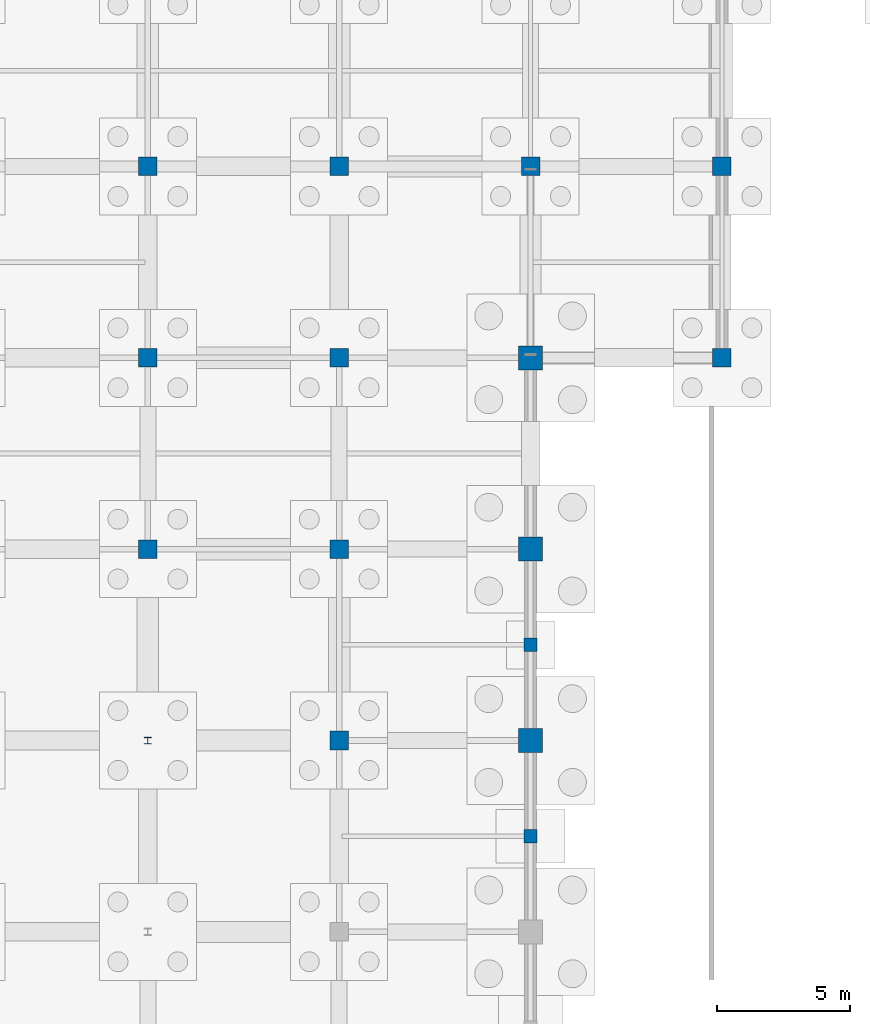
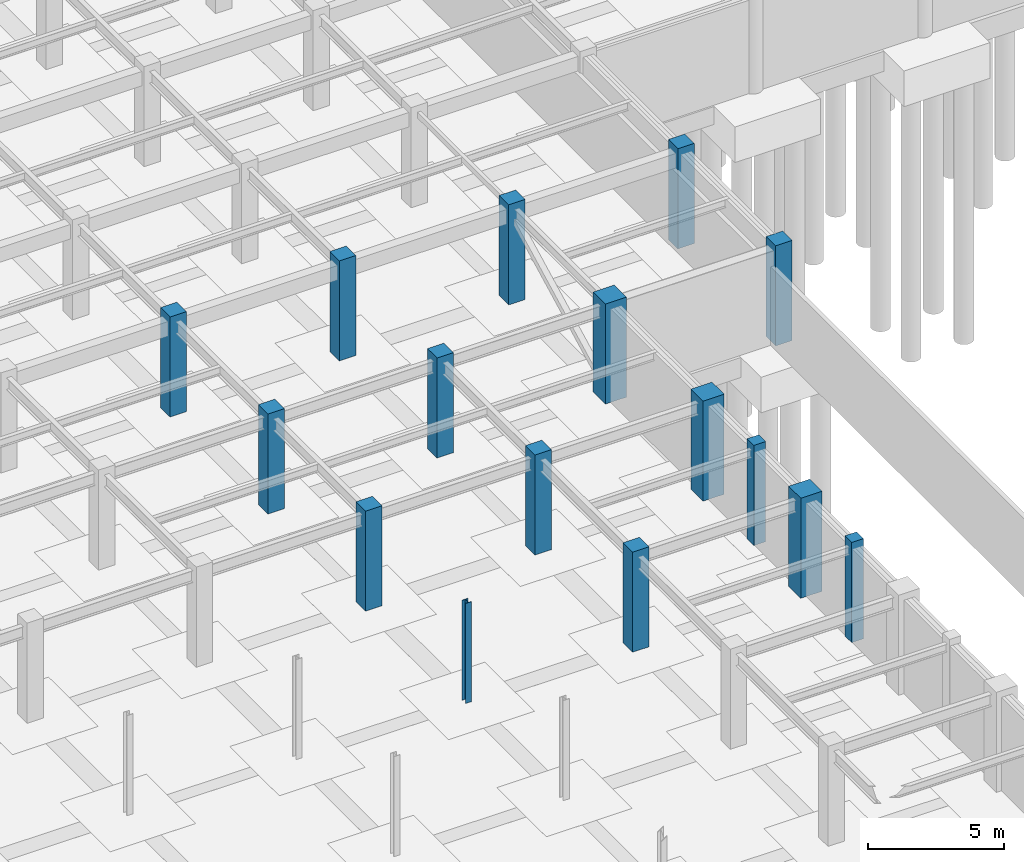
# One storey, part 16 of 48: 16 columns.
"""IFC4 building model written with IfcOpenShell, lengths in metres."""

from ifc_helpers import new_model, si_unit, direction, frame, origin, origin_2d, place, context, subcontext, project, spatial, rectangle, i_section, extrude, material, material_profile, profile_set, type_object, element, save


model = new_model("IFC4")

# Units and contexts
model_context = context("Model", 3, precision=1e-05, world=origin(), true_north=direction((0.0, 1.0)))
body_context = subcontext(model_context, "Body", "Model", "MODEL_VIEW")
ifc_project = project(units=[si_unit("LENGTHUNIT", "METRE"), si_unit("AREAUNIT", "SQUARE_METRE"), si_unit("VOLUMEUNIT", "CUBIC_METRE"), si_unit("PLANEANGLEUNIT", "RADIAN"), si_unit("MASSUNIT", "GRAM", prefix="KILO")], contexts=[model_context])

# Site, building, storey
site_placement = place(None, origin())
site = spatial("IfcSite", under=ifc_project, at=site_placement, CompositionType="ELEMENT")
building_placement = place(site_placement, origin())
building = spatial("IfcBuilding", under=site, at=building_placement, Name="Carrowvane Square Congress Hotel", CompositionType="ELEMENT")
storey_placement = place(building_placement, frame((0.0, 0.0, -4.5)))
storey = spatial("IfcBuildingStorey", under=building, at=storey_placement, Name="B01", CompositionType="ELEMENT", Elevation=-4.5)

# Columns
ifc_material_1 = material(Name="Concrete C40/50", Category="concrete")
ifc_material_profile_1 = material_profile(ifc_material_1, rectangle(XDim=0.699951171875, YDim=0.699951171875, at=origin_2d()), Name="RC 700x700")
ifc_profile_set_1 = profile_set([ifc_material_profile_1], Name="Concrete C40/50")
column_type_1 = type_object("IfcColumnType", Name="COL-RC-700", PredefinedType="COLUMN", material=ifc_profile_set_1)
for number, where, z_axis, x_axis, name in (
    (1, (47.60009765625, 48.60009765625, 0.0), (0.0, 0.0, 1.0), (1.0, 0.0, 0.0), "B01 column 6/G"),
    (2, (47.60009765625, 55.800048828125, 0.0), (0.0, 0.0, 1.0), (1.0, 0.0, 0.0), "B01 column 6/H"),
    (3, (47.60009765625, 63.0, 0.0), (0.0, 0.0, 1.0), (1.0, 0.0, 0.0), "B01 column 6/J"),
    (4, (54.800048828125, 41.39990234375, 0.0), (0.0, 0.0, 1.0), (1.0, 0.0, 0.0), "B01 column 7/F"),
    (5, (54.800048828125, 48.60009765625, 0.0), (0.0, 0.0, 1.0), (1.0, 0.0, 0.0), "B01 column 7/G"),
    (6, (54.800048828125, 55.800048828125, 0.0), (0.0, 0.0, 1.0), (1.0, 0.0, 0.0), "B01 column 7/H"),
    (7, (54.800048828125, 63.0, 0.0), (0.0, 0.0, 1.0), (1.0, 0.0, 0.0), "B01 column 7/J"),
    (8, (62.0, 63.0, 0.0), (0.0, 0.0, 1.0), (1.0, 0.0, 0.0), "B01 column 8/J"),
    (9, (69.199951171875, 55.800048828125, 0.0), (0.0, 0.0, 1.0), (1.0, 0.0, 0.0), "B01 column 9/H"),
    (10, (69.199951171875, 63.0, 0.0), (0.0, 0.0, 1.0), (1.0, 0.0, 0.0), "B01 column 9/J"),
):
    element("IfcColumn", number, at=place(storey_placement, frame(where, z_axis=z_axis, x_axis=x_axis)), inside=storey, type_object=column_type_1, Name=name, PredefinedType="COLUMN", context=body_context, shape_type="SweptSolid", body=[
        extrude(rectangle(XDim=0.699951171875, YDim=0.699951171875, at=origin_2d()), origin(), (0.0, 0.0, 1.0), 4.5),
    ])
ifc_material_2 = material(Name="Steel S355", Category="steel")
ifc_material_profile_2 = material_profile(ifc_material_2, i_section(OverallWidth=0.25634765625, OverallDepth=0.26025390625, WebThickness=0.01025390625, FlangeThickness=0.017333984375, FilletRadius=0.0126953125, at=origin_2d()), Name="UKC 254x254x89")
ifc_profile_set_2 = profile_set([ifc_material_profile_2], Name="Steel S355")
column_type_2 = type_object("IfcColumnType", Name="COL-ST-UKC254", PredefinedType="COLUMN", material=ifc_profile_set_2)
column_placement = place(storey_placement, frame((47.60009765625, 41.39990234375, 0.0), z_axis=(0.0, 0.0, 1.0), x_axis=(1.0, 0.0, 0.0)))
element("IfcColumn", 11, at=column_placement, inside=storey, type_object=column_type_2, Name="B01 column RK47/RY41", PredefinedType="COLUMN", context=body_context, shape_type="SweptSolid", body=[
    extrude(i_section(OverallWidth=0.25634765625, OverallDepth=0.26025390625, WebThickness=0.01025390625, FlangeThickness=0.017333984375, FilletRadius=0.0126953125, at=origin_2d()), origin(), (0.0, 0.0, 1.0), 4.5),
])
ifc_material_3 = material(Name="Concrete C40/50", Category="concrete")
ifc_material_profile_3 = material_profile(ifc_material_3, rectangle(XDim=0.89990234375, YDim=0.89990234375, at=origin_2d()), Name="RC 900x900")
ifc_profile_set_3 = profile_set([ifc_material_profile_3], Name="Concrete C40/50")
column_type_3 = type_object("IfcColumnType", Name="MCOL-RC-900", PredefinedType="COLUMN", material=ifc_profile_set_3)
for number, where, z_axis, x_axis, name in (
    (12, (62.0, 41.39990234375, 0.0), (0.0, 0.0, 1.0), (1.0, 0.0, 0.0), "B01 column 8/F"),
    (13, (62.0, 48.60009765625, 0.0), (0.0, 0.0, 1.0), (1.0, 0.0, 0.0), "B01 column 8/G"),
    (14, (62.0, 55.800048828125, 0.0), (0.0, 0.0, 1.0), (1.0, 0.0, 0.0), "B01 column 8/H"),
):
    element("IfcColumn", number, at=place(storey_placement, frame(where, z_axis=z_axis, x_axis=x_axis)), inside=storey, type_object=column_type_3, Name=name, PredefinedType="COLUMN", context=body_context, shape_type="SweptSolid", body=[
        extrude(rectangle(XDim=0.89990234375, YDim=0.89990234375, at=origin_2d()), origin(), (0.0, 0.0, 1.0), 4.5),
    ])
ifc_material_4 = material(Name="Precast concrete C40/50", Category="concrete")
ifc_material_profile_4 = material_profile(ifc_material_4, rectangle(XDim=0.5, YDim=0.5, at=origin_2d()), Name="RC 500x500")
ifc_profile_set_4 = profile_set([ifc_material_profile_4], Name="Precast concrete C40/50")
column_type_4 = type_object("IfcColumnType", Name="PIL-PC-500", PredefinedType="PILASTER", material=ifc_profile_set_4)
for number, where, z_axis, x_axis, name in (
    (15, (62.0, 37.800048828125, 0.0), (0.0, 0.0, 1.0), (1.0, 0.0, 0.0), "B01 colonnade pilaster foundation 4"),
    (16, (62.0, 45.0, 0.0), (0.0, 0.0, 1.0), (1.0, 0.0, 0.0), "B01 colonnade pilaster foundation 5"),
):
    element("IfcColumn", number, at=place(storey_placement, frame(where, z_axis=z_axis, x_axis=x_axis)), inside=storey, type_object=column_type_4, Name=name, PredefinedType="PILASTER", context=body_context, shape_type="SweptSolid", body=[
        extrude(rectangle(XDim=0.5, YDim=0.5, at=origin_2d()), origin(), (0.0, 0.0, 1.0), 4.5),
    ])

save(model, "model.ifc")
